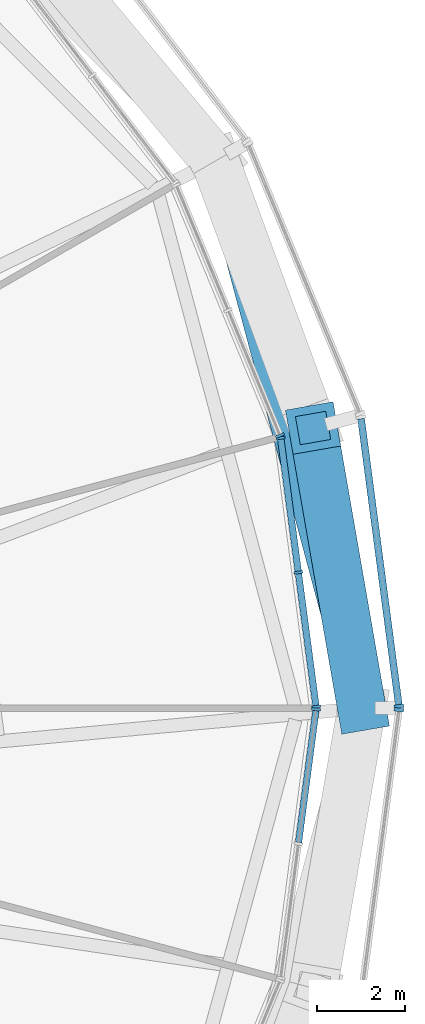
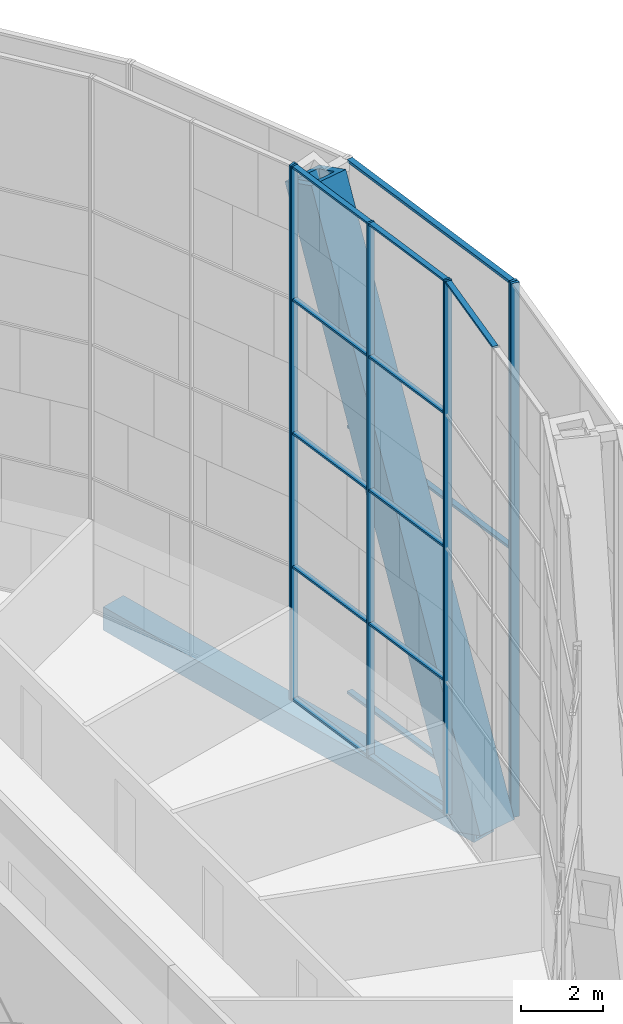
# One storey, part 7 of 28: 22 members, 1 beam, 5 elements without a shape of their own.
"""IFC4 building model written with IfcOpenShell, lengths in metres."""

from ifc_helpers import new_model, si_unit, direction, frame, origin, origin_2d, place, context, subcontext, project, spatial, rectangle, hollow_rectangle, extrude, material, material_profile, profile_set, type_object, element, aggregate, save


model = new_model("IFC4")

# Units and contexts
model_context = context("Model", 3, precision=1e-05, world=origin(), true_north=direction((0.0, 1.0)))
body_context = subcontext(model_context, "Body", "Model", "MODEL_VIEW")
ifc_project = project(units=[si_unit("LENGTHUNIT", "METRE"), si_unit("AREAUNIT", "SQUARE_METRE"), si_unit("VOLUMEUNIT", "CUBIC_METRE"), si_unit("PLANEANGLEUNIT", "RADIAN"), si_unit("MASSUNIT", "GRAM", prefix="KILO")], contexts=[model_context])

# Site, building, storey
site_placement = place(None, origin())
site = spatial("IfcSite", under=ifc_project, at=site_placement, CompositionType="ELEMENT")
building_placement = place(site_placement, origin())
building = spatial("IfcBuilding", under=site, at=building_placement, Name="Golbaran Civic Tower", CompositionType="ELEMENT")
storey_placement = place(building_placement, frame((0.0, 0.0, 183.0)))
storey = spatial("IfcBuildingStorey", under=building, at=storey_placement, Name="L44", CompositionType="ELEMENT", Elevation=183.0)

# Member
ifc_material_1 = material(Name="Steel S355", Category="steel")
ifc_material_profile_1 = material_profile(ifc_material_1, hollow_rectangle(XDim=1.10009765625, YDim=1.10009765625, WallThickness=0.199951171875, at=origin_2d()), Name="BOX 1100x1100x200")
ifc_profile_set_1 = profile_set([ifc_material_profile_1], Name="Steel S355")
member_type_1 = type_object("IfcMemberType", Name="DIAGRID DIAGONAL BOX 1100x1100x200", PredefinedType="BRACE", material=ifc_profile_set_1)
member_1_placement = place(storey_placement, frame((24.846923828125, 0.0, -0.7099609375), z_axis=(-0.064127942686, 0.368693220348, 0.927336463338), x_axis=(-0.985208424474, -0.171360323139, 0.0)))
element("IfcMember", 1, at=member_1_placement, inside=storey, type_object=member_type_1, Name="Diagonal D10-00R L44-L48", PredefinedType="BRACE", context=body_context, shape_type="SweptSolid", body=[
    extrude(hollow_rectangle(XDim=1.10009765625, YDim=1.10009765625, WallThickness=0.199951171875, at=origin_2d()), origin(), (0.0, 0.0, 1.0), 17.253662109375),
])

# Beam
ifc_material_profile_2 = material_profile(ifc_material_1, hollow_rectangle(XDim=0.699951171875, YDim=0.699951171875, WallThickness=0.080078125, at=origin_2d()), Name="BOX 700x700x80")
ifc_profile_set_2 = profile_set([ifc_material_profile_2], Name="Steel S355")
beam_type = type_object("IfcBeamType", Name="DIAGRID RING TIE BOX 700x700x80", PredefinedType="BEAM", material=ifc_profile_set_2)
beam_placement = place(storey_placement, frame((24.846923828125, 0.0, -0.7099609375), z_axis=(-0.258816732935, 0.965926445829, 0.0), x_axis=(-0.965926445829, -0.258816732935, 0.0)))
element("IfcBeam", 2, at=beam_placement, inside=storey, type_object=beam_type, Name="Ring tie 0.00 L44", PredefinedType="BEAM", context=body_context, shape_type="SweptSolid", body=[
    extrude(hollow_rectangle(XDim=0.699951171875, YDim=0.699951171875, WallThickness=0.080078125, at=origin_2d()), origin(), (0.0, 0.0, 1.0), 12.86181640625),
])

# Curtain wall, members
ifc_material_2 = material(Name="Aluminium and glass", Category="aluminium")
curtain_wall_type_1 = type_object("IfcCurtainWallType", Name="INNER SKIN CURTAIN WALL EXECUTIVE", PredefinedType="NOTDEFINED", material=ifc_material_2)
curtain_wall_1_placement = place(storey_placement, origin())
curtain_wall_1 = element("IfcCurtainWall", 3, at=curtain_wall_1_placement, inside=storey, type_object=curtain_wall_type_1, Name="Inner skin L44 facet 1 CW2", ObjectType="INNER SKIN", PredefinedType="USERDEFINED")
ifc_material_3 = material(Name="Aluminium", Category="aluminium")
ifc_material_profile_3 = material_profile(ifc_material_3, rectangle(XDim=0.199951171875, YDim=0.06005859375, at=origin_2d()), Name="INNER SKIN CURTAIN WALL EXECUTIVE MULLION")
ifc_profile_set_3 = profile_set([ifc_material_profile_3], Name="Aluminium")
member_type_2 = type_object("IfcMemberType", Name="INNER SKIN CURTAIN WALL EXECUTIVE MULLION", PredefinedType="MULLION", material=ifc_profile_set_3)
member_2_placement = place(storey_placement, frame((23.80810546875, 0.02978515625, 0.0), z_axis=(0.0, 0.0, 1.0), x_axis=(-0.991444861383, -0.130526192151, 0.0)))
member_2 = element("IfcMember", 4, at=member_2_placement, type_object=member_type_2, Name="CW2 mullion 1", PredefinedType="MULLION", context=body_context, shape_type="SweptSolid", body=[
    extrude(rectangle(XDim=0.199951171875, YDim=0.06005859375, at=origin_2d()), origin(), (0.0, 0.0, 1.0), 16.0),
])
member_3_placement = place(storey_placement, frame((23.40625, 3.08154296875, 0.0), z_axis=(0.0, 0.0, 1.0), x_axis=(-0.991444861383, -0.130526192151, 0.0)))
member_3 = element("IfcMember", 5, at=member_3_placement, type_object=member_type_2, Name="CW2 mullion 2", PredefinedType="MULLION", context=body_context, shape_type="SweptSolid", body=[
    extrude(rectangle(XDim=0.199951171875, YDim=0.06005859375, at=origin_2d()), origin(), (0.0, 0.0, 1.0), 16.0),
])
member_4_placement = place(storey_placement, frame((23.004638671875, 6.13330078125, 0.0), z_axis=(0.0, 0.0, 1.0), x_axis=(-0.991444861383, -0.130526192151, 0.0)))
member_4 = element("IfcMember", 6, at=member_4_placement, type_object=member_type_2, Name="CW2 mullion 3", PredefinedType="MULLION", context=body_context, shape_type="SweptSolid", body=[
    extrude(rectangle(XDim=0.199951171875, YDim=0.06005859375, at=origin_2d()), origin(), (0.0, 0.0, 1.0), 16.0),
])

# Curtain wall, member
curtain_wall_2_placement = place(storey_placement, origin())
curtain_wall_2 = element("IfcCurtainWall", 7, at=curtain_wall_2_placement, inside=storey, type_object=curtain_wall_type_1, Name="Inner skin L44 facet 2 CW2", ObjectType="INNER SKIN", PredefinedType="USERDEFINED")
member_5_placement = place(storey_placement, frame((22.9892578125, 6.190673828125, 0.0), z_axis=(0.0, 0.0, 1.0), x_axis=(-0.923879532491, -0.382683432413, 0.0)))
member_5 = element("IfcMember", 8, at=member_5_placement, type_object=member_type_2, Name="CW2 mullion 1", PredefinedType="MULLION", context=body_context, shape_type="SweptSolid", body=[
    extrude(rectangle(XDim=0.199951171875, YDim=0.06005859375, at=origin_2d()), origin(), (0.0, 0.0, 1.0), 16.0),
])
aggregate(curtain_wall_2, [member_5])

curtain_wall_3_placement = place(storey_placement, origin())
curtain_wall_3 = element("IfcCurtainWall", 9, at=curtain_wall_3_placement, inside=storey, type_object=curtain_wall_type_1, Name="Inner skin L44 facet 24 CW2", ObjectType="INNER SKIN", PredefinedType="USERDEFINED")
member_6_placement = place(storey_placement, frame((23.80810546875, -0.02978515625, 0.0), z_axis=(0.0, 0.0, 1.0), x_axis=(-0.991444861383, 0.130526192151, 0.0)))
member_6 = element("IfcMember", 10, at=member_6_placement, type_object=member_type_2, Name="CW2 mullion 3", PredefinedType="MULLION", context=body_context, shape_type="SweptSolid", body=[
    extrude(rectangle(XDim=0.199951171875, YDim=0.06005859375, at=origin_2d()), origin(), (0.0, 0.0, 1.0), 16.0),
])

# Member
ifc_material_profile_4 = material_profile(ifc_material_3, rectangle(XDim=0.14990234375, YDim=0.06005859375, at=origin_2d()), Name="INNER SKIN CURTAIN WALL EXECUTIVE TRANSOM")
ifc_profile_set_4 = profile_set([ifc_material_profile_4], Name="Aluminium")
member_type_3 = type_object("IfcMemberType", Name="INNER SKIN CURTAIN WALL EXECUTIVE TRANSOM", PredefinedType="USERDEFINED", material=ifc_profile_set_4)
member_7_placement = place(storey_placement, frame((23.80419921875, 0.0595703125, 0.030029296875), z_axis=(-0.130563325295, 0.991439972004, 0.0), x_axis=(-0.991439972004, -0.130563325295, 0.0)))
member_7 = element("IfcMember", 11, at=member_7_placement, type_object=member_type_3, Name="CW2 transom 1.1", ObjectType="TRANSOM", PredefinedType="USERDEFINED", context=body_context, shape_type="SweptSolid", body=[
    extrude(rectangle(XDim=0.14990234375, YDim=0.06005859375, at=origin_2d()), origin(), (0.0, 0.0, 1.0), 3.01806640625),
])

member_8_placement = place(storey_placement, frame((23.80419921875, 0.0595703125, 4.0), z_axis=(-0.130563325295, 0.991439972004, 0.0), x_axis=(-0.991439972004, -0.130563325295, 0.0)))
member_8 = element("IfcMember", 12, at=member_8_placement, type_object=member_type_3, Name="CW2 transom 1.2", ObjectType="TRANSOM", PredefinedType="USERDEFINED", context=body_context, shape_type="SweptSolid", body=[
    extrude(rectangle(XDim=0.14990234375, YDim=0.06005859375, at=origin_2d()), origin(), (0.0, 0.0, 1.0), 3.01806640625),
])

member_9_placement = place(storey_placement, frame((23.80419921875, 0.0595703125, 8.0), z_axis=(-0.130563325295, 0.991439972004, 0.0), x_axis=(-0.991439972004, -0.130563325295, 0.0)))
member_9 = element("IfcMember", 13, at=member_9_placement, type_object=member_type_3, Name="CW2 transom 1.3", ObjectType="TRANSOM", PredefinedType="USERDEFINED", context=body_context, shape_type="SweptSolid", body=[
    extrude(rectangle(XDim=0.14990234375, YDim=0.06005859375, at=origin_2d()), origin(), (0.0, 0.0, 1.0), 3.01806640625),
])

member_10_placement = place(storey_placement, frame((23.80419921875, 0.0595703125, 12.0), z_axis=(-0.130563325295, 0.991439972004, 0.0), x_axis=(-0.991439972004, -0.130563325295, 0.0)))
member_10 = element("IfcMember", 14, at=member_10_placement, type_object=member_type_3, Name="CW2 transom 1.4", ObjectType="TRANSOM", PredefinedType="USERDEFINED", context=body_context, shape_type="SweptSolid", body=[
    extrude(rectangle(XDim=0.14990234375, YDim=0.06005859375, at=origin_2d()), origin(), (0.0, 0.0, 1.0), 3.01806640625),
])

member_11_placement = place(storey_placement, frame((23.80419921875, 0.0595703125, 15.969970703125), z_axis=(-0.130563325295, 0.991439972004, 0.0), x_axis=(-0.991439972004, -0.130563325295, 0.0)))
member_11 = element("IfcMember", 15, at=member_11_placement, type_object=member_type_3, Name="CW2 transom 1.5", ObjectType="TRANSOM", PredefinedType="USERDEFINED", context=body_context, shape_type="SweptSolid", body=[
    extrude(rectangle(XDim=0.14990234375, YDim=0.06005859375, at=origin_2d()), origin(), (0.0, 0.0, 1.0), 3.01806640625),
])

member_12_placement = place(storey_placement, frame((23.40234375, 3.111328125, 0.030029296875), z_axis=(-0.130483808769, 0.991450440339, 0.0), x_axis=(-0.991450440339, -0.130483808769, 0.0)))
member_12 = element("IfcMember", 16, at=member_12_placement, type_object=member_type_3, Name="CW2 transom 2.1", ObjectType="TRANSOM", PredefinedType="USERDEFINED", context=body_context, shape_type="SweptSolid", body=[
    extrude(rectangle(XDim=0.14990234375, YDim=0.06005859375, at=origin_2d()), origin(), (0.0, 0.0, 1.0), 3.01806640625),
])

member_13_placement = place(storey_placement, frame((23.40234375, 3.111328125, 4.0), z_axis=(-0.130483808769, 0.991450440339, 0.0), x_axis=(-0.991450440339, -0.130483808769, 0.0)))
member_13 = element("IfcMember", 17, at=member_13_placement, type_object=member_type_3, Name="CW2 transom 2.2", ObjectType="TRANSOM", PredefinedType="USERDEFINED", context=body_context, shape_type="SweptSolid", body=[
    extrude(rectangle(XDim=0.14990234375, YDim=0.06005859375, at=origin_2d()), origin(), (0.0, 0.0, 1.0), 3.01806640625),
])

member_14_placement = place(storey_placement, frame((23.40234375, 3.111328125, 8.0), z_axis=(-0.130483808769, 0.991450440339, 0.0), x_axis=(-0.991450440339, -0.130483808769, 0.0)))
member_14 = element("IfcMember", 18, at=member_14_placement, type_object=member_type_3, Name="CW2 transom 2.3", ObjectType="TRANSOM", PredefinedType="USERDEFINED", context=body_context, shape_type="SweptSolid", body=[
    extrude(rectangle(XDim=0.14990234375, YDim=0.06005859375, at=origin_2d()), origin(), (0.0, 0.0, 1.0), 3.01806640625),
])

member_15_placement = place(storey_placement, frame((23.40234375, 3.111328125, 12.0), z_axis=(-0.130483808769, 0.991450440339, 0.0), x_axis=(-0.991450440339, -0.130483808769, 0.0)))
member_15 = element("IfcMember", 19, at=member_15_placement, type_object=member_type_3, Name="CW2 transom 2.4", ObjectType="TRANSOM", PredefinedType="USERDEFINED", context=body_context, shape_type="SweptSolid", body=[
    extrude(rectangle(XDim=0.14990234375, YDim=0.06005859375, at=origin_2d()), origin(), (0.0, 0.0, 1.0), 3.01806640625),
])

member_16_placement = place(storey_placement, frame((23.40234375, 3.111328125, 15.969970703125), z_axis=(-0.130483808769, 0.991450440339, 0.0), x_axis=(-0.991450440339, -0.130483808769, 0.0)))
member_16 = element("IfcMember", 20, at=member_16_placement, type_object=member_type_3, Name="CW2 transom 2.5", ObjectType="TRANSOM", PredefinedType="USERDEFINED", context=body_context, shape_type="SweptSolid", body=[
    extrude(rectangle(XDim=0.14990234375, YDim=0.06005859375, at=origin_2d()), origin(), (0.0, 0.0, 1.0), 3.01806640625),
])

aggregate(curtain_wall_1, [member_2, member_3, member_4, member_7, member_8, member_9, member_10, member_11, member_12, member_13, member_14, member_15, member_16])

member_17_placement = place(storey_placement, frame((23.41015625, -3.0517578125, 15.969970703125), z_axis=(0.130563325295, 0.991439972004, 0.0), x_axis=(-0.991439972004, 0.130563325295, 0.0)))
member_17 = element("IfcMember", 21, at=member_17_placement, type_object=member_type_3, Name="CW2 transom 2.5", ObjectType="TRANSOM", PredefinedType="USERDEFINED", context=body_context, shape_type="SweptSolid", body=[
    extrude(rectangle(XDim=0.14990234375, YDim=0.06005859375, at=origin_2d()), origin(), (0.0, 0.0, 1.0), 3.01806640625),
])

aggregate(curtain_wall_3, [member_6, member_17])

# Curtain wall, member
curtain_wall_type_2 = type_object("IfcCurtainWallType", Name="OUTER SKIN TERRACOTTA SCREEN", PredefinedType="NOTDEFINED", material=ifc_material_2)
curtain_wall_4_placement = place(storey_placement, origin())
curtain_wall_4 = element("IfcCurtainWall", 22, at=curtain_wall_4_placement, inside=storey, type_object=curtain_wall_type_2, Name="Outer skin L44 facet 1 CW3", ObjectType="OUTER SKIN", PredefinedType="USERDEFINED")
ifc_material_profile_5 = material_profile(ifc_material_3, rectangle(XDim=0.219970703125, YDim=0.080078125, at=origin_2d()), Name="OUTER SKIN TERRACOTTA SCREEN MULLION")
ifc_profile_set_5 = profile_set([ifc_material_profile_5], Name="Aluminium")
member_type_4 = type_object("IfcMemberType", Name="OUTER SKIN TERRACOTTA SCREEN MULLION", PredefinedType="MULLION", material=ifc_profile_set_5)
member_18_placement = place(storey_placement, frame((25.69189453125, 0.03955078125, -0.7099609375), z_axis=(0.0, 0.0, 1.0), x_axis=(-0.991444861372, -0.130526192237, 0.0)))
member_18 = element("IfcMember", 23, at=member_18_placement, type_object=member_type_4, Name="CW3 mullion 1", PredefinedType="MULLION", context=body_context, shape_type="SweptSolid", body=[
    extrude(rectangle(XDim=0.219970703125, YDim=0.080078125, at=origin_2d()), origin(), (0.0, 0.0, 1.0), 16.0),
])

curtain_wall_5_placement = place(storey_placement, origin())
curtain_wall_5 = element("IfcCurtainWall", 24, at=curtain_wall_5_placement, inside=storey, type_object=curtain_wall_type_2, Name="Outer skin L44 facet 24 CW3", ObjectType="OUTER SKIN", PredefinedType="USERDEFINED")
member_19_placement = place(storey_placement, frame((25.69189453125, -0.03955078125, -0.7099609375), z_axis=(0.0, 0.0, 1.0), x_axis=(-0.991444861372, 0.130526192237, 0.0)))
member_19 = element("IfcMember", 25, at=member_19_placement, type_object=member_type_4, Name="CW3 mullion 2", PredefinedType="MULLION", context=body_context, shape_type="SweptSolid", body=[
    extrude(rectangle(XDim=0.219970703125, YDim=0.080078125, at=origin_2d()), origin(), (0.0, 0.0, 1.0), 16.0),
])
aggregate(curtain_wall_5, [member_19])

# Member
ifc_material_profile_6 = material_profile(ifc_material_3, rectangle(XDim=0.159912109375, YDim=0.080078125, at=origin_2d()), Name="OUTER SKIN TERRACOTTA SCREEN TRANSOM")
ifc_profile_set_6 = profile_set([ifc_material_profile_6], Name="Aluminium")
member_type_5 = type_object("IfcMemberType", Name="OUTER SKIN TERRACOTTA SCREEN TRANSOM", PredefinedType="USERDEFINED", material=ifc_profile_set_6)
member_20_placement = place(storey_placement, frame((25.6865234375, 0.079345703125, -0.669921875), z_axis=(-0.130529739199, 0.991444394399, 0.0), x_axis=(-0.991444394399, -0.130529739199, 0.0)))
member_20 = element("IfcMember", 26, at=member_20_placement, type_object=member_type_5, Name="CW3 transom 1.1", ObjectType="TRANSOM", PredefinedType="USERDEFINED", context=body_context, shape_type="SweptSolid", body=[
    extrude(rectangle(XDim=0.159912109375, YDim=0.080078125, at=origin_2d()), origin(), (0.0, 0.0, 1.0), 6.548095703125),
])

member_21_placement = place(storey_placement, frame((25.6865234375, 0.079345703125, 7.2900390625), z_axis=(-0.130529739199, 0.991444394399, 0.0), x_axis=(-0.991444394399, -0.130529739199, 0.0)))
member_21 = element("IfcMember", 27, at=member_21_placement, type_object=member_type_5, Name="CW3 transom 1.2", ObjectType="TRANSOM", PredefinedType="USERDEFINED", context=body_context, shape_type="SweptSolid", body=[
    extrude(rectangle(XDim=0.159912109375, YDim=0.080078125, at=origin_2d()), origin(), (0.0, 0.0, 1.0), 6.548095703125),
])

member_22_placement = place(storey_placement, frame((25.6865234375, 0.079345703125, 15.25), z_axis=(-0.130529739199, 0.991444394399, 0.0), x_axis=(-0.991444394399, -0.130529739199, 0.0)))
member_22 = element("IfcMember", 28, at=member_22_placement, type_object=member_type_5, Name="CW3 transom 1.3", ObjectType="TRANSOM", PredefinedType="USERDEFINED", context=body_context, shape_type="SweptSolid", body=[
    extrude(rectangle(XDim=0.159912109375, YDim=0.080078125, at=origin_2d()), origin(), (0.0, 0.0, 1.0), 6.548095703125),
])

aggregate(curtain_wall_4, [member_18, member_20, member_21, member_22])

save(model, "model.ifc")
